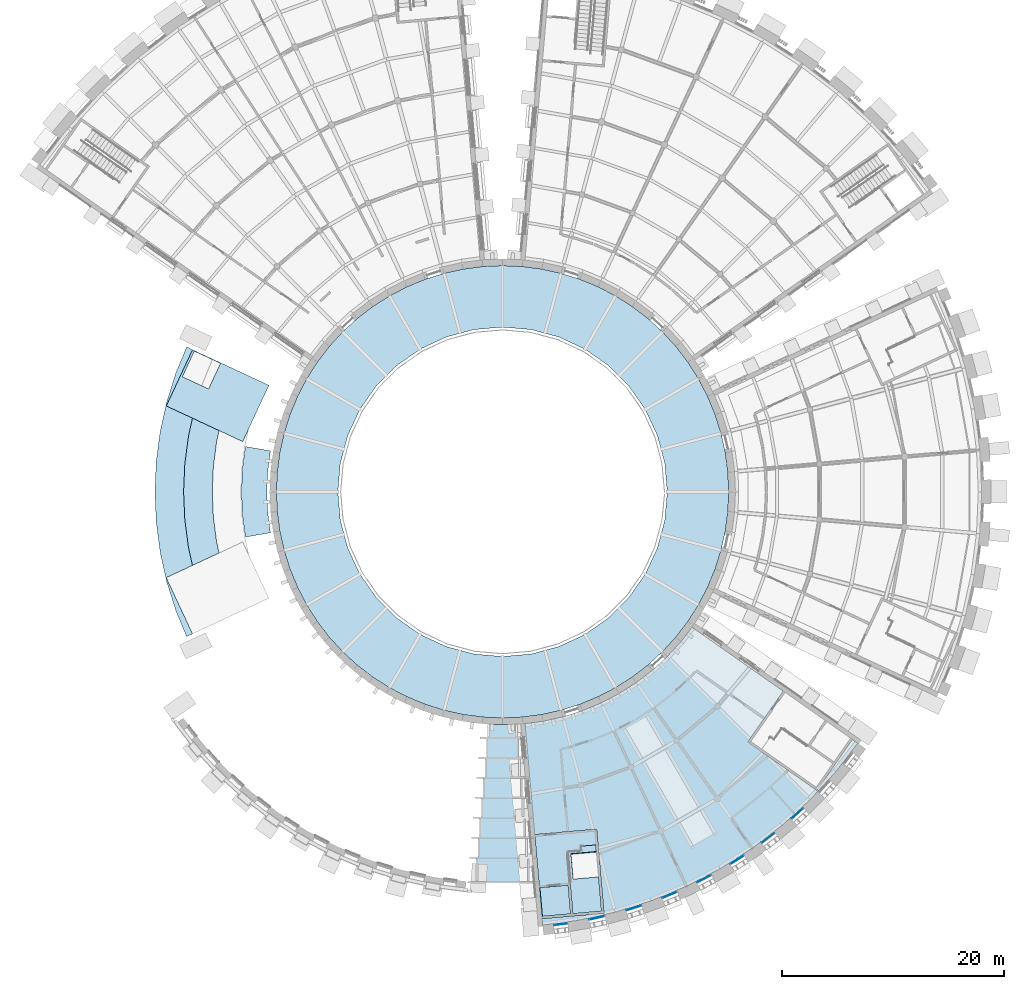
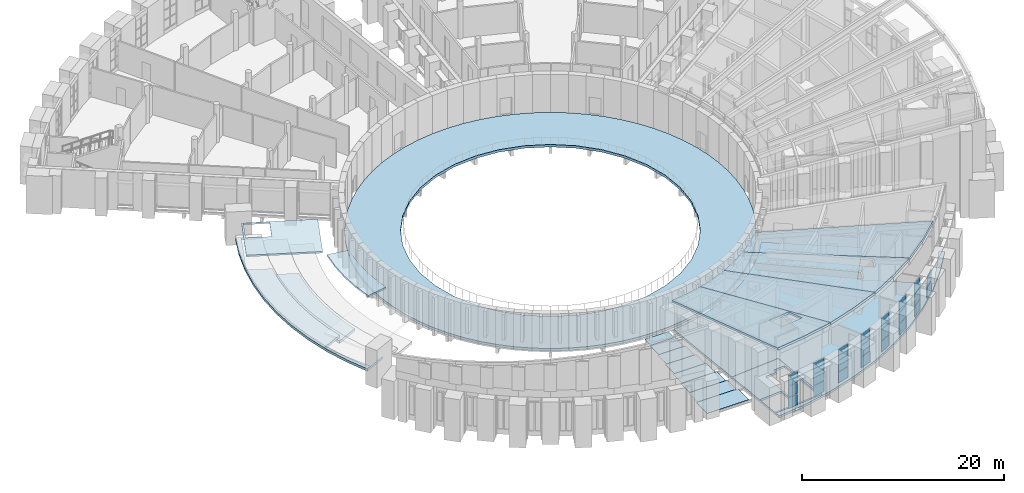
# One storey, part 18 of 50: 31 plates, 11 slabs, 8 elements without a shape of their own.
"""IFC4 building model written with IfcOpenShell, lengths in metres."""

from ifc_helpers import new_model, si_unit, direction, frame, origin, origin_2d, place, context, subcontext, project, spatial, polyline, rectangle, outline, extrude, material, layer, layer_set, type_object, element, aggregate, save


model = new_model("IFC4")

# Units and contexts
model_context = context("Model", 3, precision=1e-05, world=origin(), true_north=direction((0.0, 1.0)))
body_context = subcontext(model_context, "Body", "Model", "MODEL_VIEW")
ifc_project = project(units=[si_unit("LENGTHUNIT", "METRE"), si_unit("AREAUNIT", "SQUARE_METRE"), si_unit("VOLUMEUNIT", "CUBIC_METRE"), si_unit("PLANEANGLEUNIT", "RADIAN"), si_unit("MASSUNIT", "GRAM", prefix="KILO")], contexts=[model_context])

# Site, building, storey
site_placement = place(None, origin())
site = spatial("IfcSite", under=ifc_project, at=site_placement, CompositionType="ELEMENT")
building_placement = place(site_placement, origin())
building = spatial("IfcBuilding", under=site, at=building_placement, Name="Volute Hill Aquarium", CompositionType="ELEMENT")
storey_placement = place(building_placement, frame((0.0, 0.0, 9.199951171875)))
storey = spatial("IfcBuildingStorey", under=building, at=storey_placement, Name="L03", CompositionType="ELEMENT", Elevation=9.199951171875)

# Slab
ifc_material_1 = material(Name="Concrete C30/37", Category="concrete")
ifc_layer_1 = layer(ifc_material_1, 0.25)
ifc_layer_set_1 = layer_set([ifc_layer_1], Name="Core floor slab 250")
slab_type_1 = type_object("IfcSlabType", Name="Core floor slab 250", PredefinedType="FLOOR", material=ifc_layer_set_1)
slab_1_placement = place(storey_placement, frame((0.0, 0.0, -0.25)))
element("IfcSlab", 1, at=slab_1_placement, inside=storey, type_object=slab_type_1, Name="cs/S3-A/L03", PredefinedType="FLOOR", context=body_context, shape_type="SweptSolid", body=[
    extrude(outline(polyline([(2.905517578125, -30.914306640625), (3.56787109375, -38.485595703125), (9.146484375, -37.997314453125), (8.484130859375, -30.42626953125), (2.905517578125, -30.914306640625)]), holes=[polyline([(5.913818359375, -35.469482421875), (6.140380859375, -38.059814453125), (3.60009765625, -38.281982421875), (3.37353515625, -35.69189453125), (5.913818359375, -35.469482421875)]), polyline([(7.151123046875, -32.39990234375), (7.112060546875, -31.95361328125), (8.406982421875, -31.84033203125), (8.9296875, -37.815673828125), (6.339599609375, -38.042236328125), (5.85595703125, -32.51318359375), (7.151123046875, -32.39990234375)])]), origin(), (0.0, 0.0, 1.0), 0.25),
])

# Curtain wall, plates
ifc_material_2 = material(Name="Aluminium", Category="aluminium")
ifc_layer_2 = layer(ifc_material_2, 0.25)
ifc_layer_set_2 = layer_set([ifc_layer_2], Name="Curtain wall niche S3 module 1289")
curtain_wall_type_1 = type_object("IfcCurtainWallType", Name="Curtain wall niche S3 module 1289", PredefinedType="NOTDEFINED", material=ifc_layer_set_2)
curtain_wall_1_placement = place(storey_placement, origin())
curtain_wall_1 = element("IfcCurtainWall", 2, at=curtain_wall_1_placement, inside=storey, type_object=curtain_wall_type_1, Name="Curtain wall CW S3 L03 1", PredefinedType="NOTDEFINED")
ifc_material_3 = material(Name="Glass, low-iron laminated", Category="glass")
ifc_layer_3 = layer(ifc_material_3, 0.035888671875)
ifc_layer_set_3 = layer_set([ifc_layer_3], Name="Curtain wall glass panel S3 36")
plate_type_1 = type_object("IfcPlateType", Name="Curtain wall glass panel S3 36", PredefinedType="CURTAIN_PANEL", material=ifc_layer_set_3)
plate_1_placement = place(storey_placement, frame((5.23388671875, -38.987548828125, 0.51025390625), z_axis=(0.0, 0.0, 1.0), x_axis=(0.991447455432, 0.130506486875, 0.0)))
plate_1 = element("IfcPlate", 3, at=plate_1_placement, type_object=plate_type_1, Name="CW panel 1.1", PredefinedType="CURTAIN_PANEL", context=body_context, shape_type="SweptSolid", body=[
    extrude(rectangle(XDim=1.1689453125, YDim=0.035888671875, at=origin_2d()), origin(), (0.0, 0.0, 1.0), 1.293212890625),
])
plate_2_placement = place(storey_placement, frame((5.23388671875, -38.987548828125, 1.863525390625), z_axis=(0.0, 0.0, 1.0), x_axis=(0.991447455432, 0.130506486875, 0.0)))
plate_2 = element("IfcPlate", 4, at=plate_2_placement, type_object=plate_type_1, Name="CW panel 1.2", PredefinedType="CURTAIN_PANEL", context=body_context, shape_type="SweptSolid", body=[
    extrude(rectangle(XDim=1.1689453125, YDim=0.035888671875, at=origin_2d()), origin(), (0.0, 0.0, 1.0), 1.3232421875),
])
plate_3_placement = place(storey_placement, frame((5.23388671875, -38.987548828125, 3.24658203125), z_axis=(0.0, 0.0, 1.0), x_axis=(0.991447455432, 0.130506486875, 0.0)))
plate_3 = element("IfcPlate", 5, at=plate_3_placement, type_object=plate_type_1, Name="CW panel 1.3", PredefinedType="CURTAIN_PANEL", context=body_context, shape_type="SweptSolid", body=[
    extrude(rectangle(XDim=1.1689453125, YDim=0.035888671875, at=origin_2d()), origin(), (0.0, 0.0, 1.0), 1.293212890625),
])
aggregate(curtain_wall_1, [plate_1, plate_2, plate_3])

ifc_material_4 = material(Name="Aluminium", Category="aluminium")
ifc_layer_4 = layer(ifc_material_4, 0.25)
ifc_layer_set_4 = layer_set([ifc_layer_4], Name="Curtain wall niche S3 module 1489")
curtain_wall_type_2 = type_object("IfcCurtainWallType", Name="Curtain wall niche S3 module 1489", PredefinedType="NOTDEFINED", material=ifc_layer_set_4)
curtain_wall_2_placement = place(storey_placement, origin())
curtain_wall_2 = element("IfcCurtainWall", 6, at=curtain_wall_2_placement, inside=storey, type_object=curtain_wall_type_2, Name="Curtain wall CW S3 L03 2", PredefinedType="NOTDEFINED")
plate_4_placement = place(storey_placement, frame((8.51416015625, -38.40478515625, 1.863525390625), z_axis=(0.0, 0.0, 1.0), x_axis=(0.976298320472, 0.216429178819, 0.0)))
plate_4 = element("IfcPlate", 7, at=plate_4_placement, type_object=plate_type_1, Name="CW panel 1.2", PredefinedType="CURTAIN_PANEL", context=body_context, shape_type="SweptSolid", body=[
    extrude(rectangle(XDim=1.369140625, YDim=0.035888671875, at=origin_2d()), origin(), (0.0, 0.0, 1.0), 1.3232421875),
])
plate_5_placement = place(storey_placement, frame((8.51416015625, -38.40478515625, 3.24658203125), z_axis=(0.0, 0.0, 1.0), x_axis=(0.976298320472, 0.216429178819, 0.0)))
plate_5 = element("IfcPlate", 8, at=plate_5_placement, type_object=plate_type_1, Name="CW panel 1.3", PredefinedType="CURTAIN_PANEL", context=body_context, shape_type="SweptSolid", body=[
    extrude(rectangle(XDim=1.369140625, YDim=0.035888671875, at=origin_2d()), origin(), (0.0, 0.0, 1.0), 1.293212890625),
])

curtain_wall_3_placement = place(storey_placement, origin())
curtain_wall_3 = element("IfcCurtainWall", 9, at=curtain_wall_3_placement, inside=storey, type_object=curtain_wall_type_2, Name="Curtain wall CW S3 L03 3", PredefinedType="NOTDEFINED")
plate_6_placement = place(storey_placement, frame((11.828857421875, -37.5166015625, 0.51025390625), z_axis=(0.0, 0.0, 1.0), x_axis=(0.953714807337, 0.300712597453, 0.0)))
plate_6 = element("IfcPlate", 10, at=plate_6_placement, type_object=plate_type_1, Name="CW panel 1.1", PredefinedType="CURTAIN_PANEL", context=body_context, shape_type="SweptSolid", body=[
    extrude(rectangle(XDim=1.369140625, YDim=0.035888671875, at=origin_2d()), origin(), (0.0, 0.0, 1.0), 1.293212890625),
])
plate_7_placement = place(storey_placement, frame((11.828857421875, -37.5166015625, 1.863525390625), z_axis=(0.0, 0.0, 1.0), x_axis=(0.953714807337, 0.300712597453, 0.0)))
plate_7 = element("IfcPlate", 11, at=plate_7_placement, type_object=plate_type_1, Name="CW panel 1.2", PredefinedType="CURTAIN_PANEL", context=body_context, shape_type="SweptSolid", body=[
    extrude(rectangle(XDim=1.369140625, YDim=0.035888671875, at=origin_2d()), origin(), (0.0, 0.0, 1.0), 1.3232421875),
])
plate_8_placement = place(storey_placement, frame((11.828857421875, -37.5166015625, 3.24658203125), z_axis=(0.0, 0.0, 1.0), x_axis=(0.953714807337, 0.300712597453, 0.0)))
plate_8 = element("IfcPlate", 12, at=plate_8_placement, type_object=plate_type_1, Name="CW panel 1.3", PredefinedType="CURTAIN_PANEL", context=body_context, shape_type="SweptSolid", body=[
    extrude(rectangle(XDim=1.369140625, YDim=0.035888671875, at=origin_2d()), origin(), (0.0, 0.0, 1.0), 1.293212890625),
])
aggregate(curtain_wall_3, [plate_6, plate_7, plate_8])

curtain_wall_4_placement = place(storey_placement, origin())
curtain_wall_4 = element("IfcCurtainWall", 13, at=curtain_wall_4_placement, inside=storey, type_object=curtain_wall_type_2, Name="Curtain wall CW S3 L03 4", PredefinedType="NOTDEFINED")
plate_9_placement = place(storey_placement, frame((15.0537109375, -36.3427734375, 1.863525390625), z_axis=(0.0, 0.0, 1.0), x_axis=(0.923875737316, 0.382692594649, 0.0)))
plate_9 = element("IfcPlate", 14, at=plate_9_placement, type_object=plate_type_1, Name="CW panel 1.2", PredefinedType="CURTAIN_PANEL", context=body_context, shape_type="SweptSolid", body=[
    extrude(rectangle(XDim=1.369140625, YDim=0.035888671875, at=origin_2d()), origin(), (0.0, 0.0, 1.0), 1.3232421875),
])
plate_10_placement = place(storey_placement, frame((15.0537109375, -36.3427734375, 3.24658203125), z_axis=(0.0, 0.0, 1.0), x_axis=(0.923875737316, 0.382692594649, 0.0)))
plate_10 = element("IfcPlate", 15, at=plate_10_placement, type_object=plate_type_1, Name="CW panel 1.3", PredefinedType="CURTAIN_PANEL", context=body_context, shape_type="SweptSolid", body=[
    extrude(rectangle(XDim=1.369140625, YDim=0.035888671875, at=origin_2d()), origin(), (0.0, 0.0, 1.0), 1.293212890625),
])

curtain_wall_5_placement = place(storey_placement, origin())
curtain_wall_5 = element("IfcCurtainWall", 16, at=curtain_wall_5_placement, inside=storey, type_object=curtain_wall_type_2, Name="Curtain wall CW S3 L03 5", PredefinedType="NOTDEFINED")
plate_11_placement = place(storey_placement, frame((18.163818359375, -34.892578125, 0.51025390625), z_axis=(0.0, 0.0, 1.0), x_axis=(0.887013102438, 0.461744254001, 0.0)))
plate_11 = element("IfcPlate", 17, at=plate_11_placement, type_object=plate_type_1, Name="CW panel 1.1", PredefinedType="CURTAIN_PANEL", context=body_context, shape_type="SweptSolid", body=[
    extrude(rectangle(XDim=1.369140625, YDim=0.035888671875, at=origin_2d()), origin(), (0.0, 0.0, 1.0), 1.293212890625),
])
plate_12_placement = place(storey_placement, frame((18.163818359375, -34.892578125, 1.863525390625), z_axis=(0.0, 0.0, 1.0), x_axis=(0.887013102438, 0.461744254001, 0.0)))
plate_12 = element("IfcPlate", 18, at=plate_12_placement, type_object=plate_type_1, Name="CW panel 1.2", PredefinedType="CURTAIN_PANEL", context=body_context, shape_type="SweptSolid", body=[
    extrude(rectangle(XDim=1.369140625, YDim=0.035888671875, at=origin_2d()), origin(), (0.0, 0.0, 1.0), 1.3232421875),
])
plate_13_placement = place(storey_placement, frame((18.163818359375, -34.892578125, 3.24658203125), z_axis=(0.0, 0.0, 1.0), x_axis=(0.887013102438, 0.461744254001, 0.0)))
plate_13 = element("IfcPlate", 19, at=plate_13_placement, type_object=plate_type_1, Name="CW panel 1.3", PredefinedType="CURTAIN_PANEL", context=body_context, shape_type="SweptSolid", body=[
    extrude(rectangle(XDim=1.369140625, YDim=0.035888671875, at=origin_2d()), origin(), (0.0, 0.0, 1.0), 1.293212890625),
])
aggregate(curtain_wall_5, [plate_11, plate_12, plate_13])

curtain_wall_6_placement = place(storey_placement, origin())
curtain_wall_6 = element("IfcCurtainWall", 20, at=curtain_wall_6_placement, inside=storey, type_object=curtain_wall_type_2, Name="Curtain wall CW S3 L03 6", PredefinedType="NOTDEFINED")
plate_14_placement = place(storey_placement, frame((21.1357421875, -33.1767578125, 1.863525390625), z_axis=(0.0, 0.0, 1.0), x_axis=(0.843386539683, 0.53730730935, 0.0)))
plate_14 = element("IfcPlate", 21, at=plate_14_placement, type_object=plate_type_1, Name="CW panel 1.2", PredefinedType="CURTAIN_PANEL", context=body_context, shape_type="SweptSolid", body=[
    extrude(rectangle(XDim=1.369140625, YDim=0.035888671875, at=origin_2d()), origin(), (0.0, 0.0, 1.0), 1.3232421875),
])
plate_15_placement = place(storey_placement, frame((21.1357421875, -33.1767578125, 3.24658203125), z_axis=(0.0, 0.0, 1.0), x_axis=(0.843386539683, 0.53730730935, 0.0)))
plate_15 = element("IfcPlate", 22, at=plate_15_placement, type_object=plate_type_1, Name="CW panel 1.3", PredefinedType="CURTAIN_PANEL", context=body_context, shape_type="SweptSolid", body=[
    extrude(rectangle(XDim=1.369140625, YDim=0.035888671875, at=origin_2d()), origin(), (0.0, 0.0, 1.0), 1.293212890625),
])

curtain_wall_7_placement = place(storey_placement, origin())
curtain_wall_7 = element("IfcCurtainWall", 23, at=curtain_wall_7_placement, inside=storey, type_object=curtain_wall_type_2, Name="Curtain wall CW S3 L03 7", PredefinedType="NOTDEFINED")
plate_16_placement = place(storey_placement, frame((23.947021484375, -31.208251953125, 0.51025390625), z_axis=(0.0, 0.0, 1.0), x_axis=(0.793364531663, 0.608746843851, 0.0)))
plate_16 = element("IfcPlate", 24, at=plate_16_placement, type_object=plate_type_1, Name="CW panel 1.1", PredefinedType="CURTAIN_PANEL", context=body_context, shape_type="SweptSolid", body=[
    extrude(rectangle(XDim=1.369140625, YDim=0.035888671875, at=origin_2d()), origin(), (0.0, 0.0, 1.0), 1.293212890625),
])
plate_17_placement = place(storey_placement, frame((23.947021484375, -31.208251953125, 1.863525390625), z_axis=(0.0, 0.0, 1.0), x_axis=(0.793364531663, 0.608746843851, 0.0)))
plate_17 = element("IfcPlate", 25, at=plate_17_placement, type_object=plate_type_1, Name="CW panel 1.2", PredefinedType="CURTAIN_PANEL", context=body_context, shape_type="SweptSolid", body=[
    extrude(rectangle(XDim=1.369140625, YDim=0.035888671875, at=origin_2d()), origin(), (0.0, 0.0, 1.0), 1.3232421875),
])
plate_18_placement = place(storey_placement, frame((23.947021484375, -31.208251953125, 3.24658203125), z_axis=(0.0, 0.0, 1.0), x_axis=(0.793364531663, 0.608746843851, 0.0)))
plate_18 = element("IfcPlate", 26, at=plate_18_placement, type_object=plate_type_1, Name="CW panel 1.3", PredefinedType="CURTAIN_PANEL", context=body_context, shape_type="SweptSolid", body=[
    extrude(rectangle(XDim=1.369140625, YDim=0.035888671875, at=origin_2d()), origin(), (0.0, 0.0, 1.0), 1.293212890625),
])
aggregate(curtain_wall_7, [plate_16, plate_17, plate_18])

# Curtain wall, plate
curtain_wall_8_placement = place(storey_placement, origin())
curtain_wall_8 = element("IfcCurtainWall", 27, at=curtain_wall_8_placement, inside=storey, type_object=curtain_wall_type_2, Name="Curtain wall CW S3 L03 8", PredefinedType="NOTDEFINED")
plate_19_placement = place(storey_placement, frame((26.57568359375, -29.00244140625, 1.863525390625), z_axis=(0.0, 0.0, 1.0), x_axis=(0.73725642731, 0.675613025622, 0.0)))
plate_19 = element("IfcPlate", 28, at=plate_19_placement, type_object=plate_type_1, Name="CW panel 1.2", PredefinedType="CURTAIN_PANEL", context=body_context, shape_type="SweptSolid", body=[
    extrude(rectangle(XDim=1.369140625, YDim=0.035888671875, at=origin_2d()), origin(), (0.0, 0.0, 1.0), 1.3232421875),
])

# Plate
ifc_material_5 = material(Name="Aluminium", Category="aluminium")
ifc_layer_5 = layer(ifc_material_5, 0.06005859375)
ifc_layer_set_5 = layer_set([ifc_layer_5], Name="Curtain wall insulated spandrel panel 60")
plate_type_2 = type_object("IfcPlateType", Name="Curtain wall insulated spandrel panel 60", PredefinedType="CURTAIN_PANEL", material=ifc_layer_set_5)
plate_20_placement = place(storey_placement, frame((8.51416015625, -38.40478515625, 0.51025390625), z_axis=(0.0, 0.0, 1.0), x_axis=(0.976298320472, 0.216429178819, 0.0)))
plate_20 = element("IfcPlate", 29, at=plate_20_placement, type_object=plate_type_2, Name="CW panel 1.1", PredefinedType="CURTAIN_PANEL", context=body_context, shape_type="SweptSolid", body=[
    extrude(rectangle(XDim=1.369140625, YDim=0.06005859375, at=origin_2d()), origin(), (0.0, 0.0, 1.0), 1.293212890625),
])

aggregate(curtain_wall_2, [plate_20, plate_4, plate_5])

plate_21_placement = place(storey_placement, frame((15.0537109375, -36.3427734375, 0.51025390625), z_axis=(0.0, 0.0, 1.0), x_axis=(0.923875737316, 0.382692594649, 0.0)))
plate_21 = element("IfcPlate", 30, at=plate_21_placement, type_object=plate_type_2, Name="CW panel 1.1", PredefinedType="CURTAIN_PANEL", context=body_context, shape_type="SweptSolid", body=[
    extrude(rectangle(XDim=1.369140625, YDim=0.06005859375, at=origin_2d()), origin(), (0.0, 0.0, 1.0), 1.293212890625),
])

aggregate(curtain_wall_4, [plate_21, plate_9, plate_10])

plate_22_placement = place(storey_placement, frame((21.1357421875, -33.1767578125, 0.51025390625), z_axis=(0.0, 0.0, 1.0), x_axis=(0.843386539683, 0.53730730935, 0.0)))
plate_22 = element("IfcPlate", 31, at=plate_22_placement, type_object=plate_type_2, Name="CW panel 1.1", PredefinedType="CURTAIN_PANEL", context=body_context, shape_type="SweptSolid", body=[
    extrude(rectangle(XDim=1.369140625, YDim=0.06005859375, at=origin_2d()), origin(), (0.0, 0.0, 1.0), 1.293212890625),
])

aggregate(curtain_wall_6, [plate_22, plate_14, plate_15])

plate_23_placement = place(storey_placement, frame((26.57568359375, -29.00244140625, 0.51025390625), z_axis=(0.0, 0.0, 1.0), x_axis=(0.73725642731, 0.675613025622, 0.0)))
plate_23 = element("IfcPlate", 32, at=plate_23_placement, type_object=plate_type_2, Name="CW panel 1.1", PredefinedType="CURTAIN_PANEL", context=body_context, shape_type="SweptSolid", body=[
    extrude(rectangle(XDim=1.369140625, YDim=0.06005859375, at=origin_2d()), origin(), (0.0, 0.0, 1.0), 1.293212890625),
])

aggregate(curtain_wall_8, [plate_23, plate_19])

# Slabs
ifc_material_6 = material(Name="Concrete C35/45", Category="concrete")
ifc_layer_6 = layer(ifc_material_6, 0.27001953125)
ifc_layer_set_6 = layer_set([ifc_layer_6], Name="Floor slab 270 C35/45")
slab_type_2 = type_object("IfcSlabType", Name="Floor slab 270 C35/45", PredefinedType="FLOOR", material=ifc_layer_set_6)
slab_2_placement = place(storey_placement, frame((0.0, 0.0, -0.27001953125)))
element("IfcSlab", 33, at=slab_2_placement, inside=storey, type_object=slab_type_2, Name="fl/S3/L03/1", PredefinedType="FLOOR", context=body_context, shape_type="SweptSolid", body=[
    extrude(outline(polyline([(30.067138671875, -25.2294921875), (27.75390625, -27.75390625), (25.2294921875, -30.067138671875), (22.512939453125, -32.151611328125), (19.625, -33.991455078125), (16.587890625, -35.572509765625), (13.42431640625, -36.8828125), (10.15869140625, -37.91259765625), (6.815673828125, -38.65380859375), (3.619384765625, -39.074462890625), (3.56787109375, -38.485595703125), (9.146484375, -37.997314453125), (8.484130859375, -30.42626953125), (2.905517578125, -30.914306640625), (2.02880859375, -20.89404296875), (3.646484375, -20.680908203125), (5.435302734375, -20.284423828125), (7.182373046875, -19.7333984375), (8.875, -19.032470703125), (10.5, -18.1865234375), (12.045166015625, -17.2021484375), (13.49853515625, -16.0869140625), (14.84912109375, -14.84912109375), (16.0869140625, -13.49853515625), (17.080322265625, -12.203857421875), (25.320068359375, -17.973388671875), (22.10791015625, -22.560546875), (28.33349609375, -26.919921875), (31.54541015625, -22.33251953125), (26.370849609375, -18.709228515625), (32.02978515625, -22.671630859375), (30.067138671875, -25.2294921875)])), origin(), (0.0, 0.0, 1.0), 0.27001953125),
])
ifc_material_7 = material(Name="Concrete C30/37", Category="concrete")
ifc_layer_7 = layer(ifc_material_7, 0.199951171875)
ifc_layer_set_7 = layer_set([ifc_layer_7], Name="Lift shaft roof 200")
slab_type_3 = type_object("IfcSlabType", Name="Lift shaft roof 200", PredefinedType="ROOF", material=ifc_layer_set_7)
slab_3_placement = place(storey_placement, frame((0.0, 0.0, 2.719970703125)))
element("IfcSlab", 34, at=slab_3_placement, inside=storey, type_object=slab_type_3, Name="cs/S1-A/head", PredefinedType="ROOF", context=body_context, shape_type="SweptSolid", body=[
    extrude(outline(polyline([(-21.0654296875, 9.602294921875), (-27.95361328125, 12.814208984375), (-30.3203125, 7.739013671875), (-23.43212890625, 4.527099609375), (-21.0654296875, 9.602294921875)]), holes=[polyline([(-26.5146484375, 9.2744140625), (-28.87109375, 10.373291015625), (-27.79345703125, 12.684326171875), (-25.43701171875, 11.585693359375), (-26.5146484375, 9.2744140625)])]), origin(), (0.0, 0.0, 1.0), 0.2001953125),
])

# Plates
ifc_material_8 = material(Name="Laminated glass", Category="glass")
ifc_layer_8 = layer(ifc_material_8, 0.0400390625)
ifc_layer_set_8 = layer_set([ifc_layer_8], Name="Passage glazing plate 40")
plate_type_3 = type_object("IfcPlateType", Name="Passage glazing plate 40", PredefinedType="SHEET", material=ifc_layer_set_8)
plate_24_placement = place(storey_placement, origin())
element("IfcPlate", 35, at=plate_24_placement, inside=storey, type_object=plate_type_3, Name="ps/SC3/L03/g0", PredefinedType="SHEET", context=body_context, shape_type="SweptSolid", body=[
    extrude(outline(polyline([(-1.3359375, -21.0), (-1.3359375, -22.199951171875), (1.3359375, -22.199951171875), (1.3359375, -21.0), (-1.3359375, -21.0)])), origin(), (0.0, 0.0, 1.0), 0.0400390625),
])
plate_25_placement = place(storey_placement, origin())
element("IfcPlate", 36, at=plate_25_placement, inside=storey, type_object=plate_type_3, Name="ps/SC3/L03/g1", PredefinedType="SHEET", context=body_context, shape_type="SweptSolid", body=[
    extrude(outline(polyline([(-1.44091796875, -22.199951171875), (-1.44091796875, -24.0), (1.44091796875, -24.0), (1.44091796875, -22.199951171875), (-1.44091796875, -22.199951171875)])), origin(), (0.0, 0.0, 1.0), 0.0400390625),
])
plate_26_placement = place(storey_placement, origin())
element("IfcPlate", 37, at=plate_26_placement, inside=storey, type_object=plate_type_3, Name="ps/SC3/L03/g2", PredefinedType="SHEET", context=body_context, shape_type="SweptSolid", body=[
    extrude(outline(polyline([(-1.59912109375, -24.0), (-1.59912109375, -25.800048828125), (1.59912109375, -25.800048828125), (1.59912109375, -24.0), (-1.59912109375, -24.0)])), origin(), (0.0, 0.0, 1.0), 0.0400390625),
])
plate_27_placement = place(storey_placement, origin())
element("IfcPlate", 38, at=plate_27_placement, inside=storey, type_object=plate_type_3, Name="ps/SC3/L03/g3", PredefinedType="SHEET", context=body_context, shape_type="SweptSolid", body=[
    extrude(outline(polyline([(-1.756103515625, -25.800048828125), (-1.756103515625, -27.60009765625), (1.756103515625, -27.60009765625), (1.756103515625, -25.800048828125), (-1.756103515625, -25.800048828125)])), origin(), (0.0, 0.0, 1.0), 0.0400390625),
])
plate_28_placement = place(storey_placement, origin())
element("IfcPlate", 39, at=plate_28_placement, inside=storey, type_object=plate_type_3, Name="ps/SC3/L03/g4", PredefinedType="SHEET", context=body_context, shape_type="SweptSolid", body=[
    extrude(outline(polyline([(-1.9140625, -27.60009765625), (-1.9140625, -29.39990234375), (1.9140625, -29.39990234375), (1.9140625, -27.60009765625), (-1.9140625, -27.60009765625)])), origin(), (0.0, 0.0, 1.0), 0.0400390625),
])
plate_29_placement = place(storey_placement, origin())
element("IfcPlate", 40, at=plate_29_placement, inside=storey, type_object=plate_type_3, Name="ps/SC3/L03/g5", PredefinedType="SHEET", context=body_context, shape_type="SweptSolid", body=[
    extrude(outline(polyline([(-2.071044921875, -29.39990234375), (-2.071044921875, -31.199951171875), (2.071044921875, -31.199951171875), (2.071044921875, -29.39990234375), (-2.071044921875, -29.39990234375)])), origin(), (0.0, 0.0, 1.0), 0.0400390625),
])
plate_30_placement = place(storey_placement, origin())
element("IfcPlate", 41, at=plate_30_placement, inside=storey, type_object=plate_type_3, Name="ps/SC3/L03/g6", PredefinedType="SHEET", context=body_context, shape_type="SweptSolid", body=[
    extrude(outline(polyline([(-2.22900390625, -31.199951171875), (-2.22900390625, -33.0), (2.22900390625, -33.0), (2.22900390625, -31.199951171875), (-2.22900390625, -31.199951171875)])), origin(), (0.0, 0.0, 1.0), 0.0400390625),
])
plate_31_placement = place(storey_placement, origin())
element("IfcPlate", 42, at=plate_31_placement, inside=storey, type_object=plate_type_3, Name="ps/SC3/L03/g7", PredefinedType="SHEET", context=body_context, shape_type="SweptSolid", body=[
    extrude(outline(polyline([(-2.385986328125, -33.0), (-2.385986328125, -35.199951171875), (2.385986328125, -35.199951171875), (2.385986328125, -33.0), (-2.385986328125, -33.0)])), origin(), (0.0, 0.0, 1.0), 0.0400390625),
])

# Slabs
ifc_material_9 = material(Name="Glulam GL28h", Category="wood")
ifc_layer_9 = layer(ifc_material_9, 0.199951171875)
ifc_layer_set_9 = layer_set([ifc_layer_9], Name="Pavilion roof plate 200")
slab_type_4 = type_object("IfcSlabType", Name="Pavilion roof plate 200", PredefinedType="ROOF", material=ifc_layer_set_9)
slab_4_placement = place(storey_placement, frame((0.0, 0.0, 2.52001953125)))
element("IfcSlab", 43, at=slab_4_placement, inside=storey, type_object=slab_type_4, Name="Garden pavilion roof GPR", PredefinedType="ROOF", context=body_context, shape_type="SweptSolid", body=[
    extrude(outline(polyline([(-23.192138671875, 4.08935546875), (-23.46044921875, 2.052490234375), (-23.550048828125, 0.0), (-23.46044921875, -2.052490234375), (-23.192138671875, -4.08935546875), (-20.92724609375, -3.68994140625), (-21.169189453125, -1.85205078125), (-21.25, 0.0), (-21.169189453125, 1.85205078125), (-20.92724609375, 3.68994140625), (-23.192138671875, 4.08935546875)])), origin(), (0.0, 0.0, 1.0), 0.199951171875),
])
ifc_material_10 = material(Name="Concrete C35/45", Category="concrete")
ifc_layer_10 = layer(ifc_material_10, 0.300048828125)
ifc_layer_set_10 = layer_set([ifc_layer_10], Name="Ring gallery slab C35/45 300")
slab_type_5 = type_object("IfcSlabType", Name="Ring gallery slab C35/45 300", PredefinedType="FLOOR", material=ifc_layer_set_10)
slab_5_placement = place(storey_placement, frame((0.0, 0.0, -0.300048828125)))
element("IfcSlab", 44, at=slab_5_placement, inside=storey, type_object=slab_type_5, Name="fl/DR/L03/1", PredefinedType="FLOOR", context=body_context, shape_type="SweptSolid", body=[
    extrude(outline(polyline([(20.39990234375, 0.0), (20.322509765625, 1.778076171875), (20.090087890625, 3.54248046875), (19.704833984375, 5.27978515625), (19.169677734375, 6.977294921875), (18.48876953125, 8.621337890625), (17.6669921875, 10.199951171875), (16.710693359375, 11.700927734375), (15.627197265625, 13.11279296875), (14.425048828125, 14.425048828125), (13.11279296875, 15.627197265625), (11.700927734375, 16.710693359375), (10.199951171875, 17.6669921875), (8.621337890625, 18.48876953125), (6.977294921875, 19.169677734375), (5.27978515625, 19.704833984375), (3.54248046875, 20.090087890625), (1.778076171875, 20.322509765625), (0.0, 20.39990234375), (-1.778076171875, 20.322509765625), (-3.54248046875, 20.090087890625), (-5.27978515625, 19.704833984375), (-6.977294921875, 19.169677734375), (-8.621337890625, 18.48876953125), (-10.199951171875, 17.6669921875), (-11.700927734375, 16.710693359375), (-13.11279296875, 15.627197265625), (-14.425048828125, 14.425048828125), (-15.627197265625, 13.11279296875), (-16.710693359375, 11.700927734375), (-17.6669921875, 10.199951171875), (-18.48876953125, 8.621337890625), (-19.169677734375, 6.977294921875), (-19.704833984375, 5.27978515625), (-20.090087890625, 3.54248046875), (-20.322509765625, 1.778076171875), (-20.39990234375, 0.0), (-20.322509765625, -1.778076171875), (-20.090087890625, -3.54248046875), (-19.704833984375, -5.27978515625), (-19.169677734375, -6.977294921875), (-18.48876953125, -8.621337890625), (-17.6669921875, -10.199951171875), (-16.710693359375, -11.700927734375), (-15.627197265625, -13.11279296875), (-14.425048828125, -14.425048828125), (-13.11279296875, -15.627197265625), (-11.700927734375, -16.710693359375), (-10.199951171875, -17.6669921875), (-8.621337890625, -18.48876953125), (-6.977294921875, -19.169677734375), (-5.27978515625, -19.704833984375), (-3.54248046875, -20.090087890625), (-1.778076171875, -20.322509765625), (0.0, -20.39990234375), (1.778076171875, -20.322509765625), (3.54248046875, -20.090087890625), (5.27978515625, -19.704833984375), (6.977294921875, -19.169677734375), (8.621337890625, -18.48876953125), (10.199951171875, -17.6669921875), (11.700927734375, -16.710693359375), (13.11279296875, -15.627197265625), (14.425048828125, -14.425048828125), (15.627197265625, -13.11279296875), (16.710693359375, -11.700927734375), (17.6669921875, -10.199951171875), (18.48876953125, -8.621337890625), (19.169677734375, -6.977294921875), (19.704833984375, -5.27978515625), (20.090087890625, -3.54248046875), (20.322509765625, -1.778076171875), (20.39990234375, 0.0)]), holes=[polyline([(14.62451171875, -2.57861328125), (13.954345703125, -5.0791015625), (12.860595703125, -7.425048828125), (11.375732421875, -9.54541015625), (9.54541015625, -11.375732421875), (7.425048828125, -12.860595703125), (5.0791015625, -13.954345703125), (2.57861328125, -14.62451171875), (0.0, -14.85009765625), (-2.57861328125, -14.62451171875), (-5.0791015625, -13.954345703125), (-7.425048828125, -12.860595703125), (-9.54541015625, -11.375732421875), (-11.375732421875, -9.54541015625), (-12.860595703125, -7.425048828125), (-13.954345703125, -5.0791015625), (-14.62451171875, -2.57861328125), (-14.85009765625, 0.0), (-14.62451171875, 2.57861328125), (-13.954345703125, 5.0791015625), (-12.860595703125, 7.425048828125), (-11.375732421875, 9.54541015625), (-9.54541015625, 11.375732421875), (-7.425048828125, 12.860595703125), (-5.0791015625, 13.954345703125), (-2.57861328125, 14.62451171875), (0.0, 14.85009765625), (2.57861328125, 14.62451171875), (5.0791015625, 13.954345703125), (7.425048828125, 12.860595703125), (9.54541015625, 11.375732421875), (11.375732421875, 9.54541015625), (12.860595703125, 7.425048828125), (13.954345703125, 5.0791015625), (14.62451171875, 2.57861328125), (14.85009765625, 0.0), (14.62451171875, -2.57861328125)])]), origin(), (0.0, 0.0, 1.0), 0.300048828125),
])
ifc_material_11 = material(Name="Concrete C30/37", Category="concrete")
ifc_layer_11 = layer(ifc_material_11, 0.25)
ifc_layer_set_11 = layer_set([ifc_layer_11], Name="Roof slab 250 C30/37")
slab_type_6 = type_object("IfcSlabType", Name="Roof slab 250 C30/37", PredefinedType="ROOF", material=ifc_layer_set_11)
slab_6_placement = place(storey_placement, frame((3.4208984375, -39.1005859375, 8.291748046875), z_axis=(-0.043390787064, 0.246078756548, 0.968278103219), x_axis=(0.991387631702, 0.130474545803, 0.011267502174)))
element("IfcSlab", 45, at=slab_6_placement, inside=storey, type_object=slab_type_6, Name="rf/S3/L03/1", PredefinedType="ROOF", context=body_context, shape_type="SweptSolid", body=[
    extrude(outline(polyline([(0.0, 0.0), (3.4242660407673866, 7.806255641895632e-17), (6.834766845604605, 0.3084354259316193), (4.399222529162319, 18.993793873880968), (2.57431008539186, 18.82891174282257), (0.7423413067534729, 18.828651408592748), (0.0, 0.0)]), holes=[polyline([(3.456085033346842, 3.874989037863469), (5.854267312031432, 3.7671077099549555), (5.9478426236681905, 6.140067212660272), (3.5496603449836006, 6.247948540568786), (3.456085033346842, 3.874989037863469)])]), origin(), (0.0, 0.0, -1.0), 0.25),
])
slab_7_placement = place(storey_placement, frame((10.15869140625, -37.91259765625, 8.291748046875), z_axis=(-0.085463839498, 0.234806267619, 0.968277826259), x_axis=(0.953646359518, 0.300719297964, 0.011248324764)))
element("IfcSlab", 46, at=slab_7_placement, inside=storey, type_object=slab_type_6, Name="rf/S3/L03/2", PredefinedType="ROOF", context=body_context, shape_type="SweptSolid", body=[
    extrude(outline(polyline([(0.0, 0.0), (3.4243615573824195, 1.6132928326584306e-16), (6.834892017220159, 0.308001693428698), (4.400657679231992, 18.993495011898936), (2.575938329692605, 18.828857371548246), (0.7439164391906183, 18.82873030173565), (0.0, 0.0)])), origin(), (0.0, 0.0, -1.0), 0.25),
])
slab_8_placement = place(storey_placement, frame((16.587890625, -35.572509765625, 8.291748046875), z_axis=(-0.124939799036, 0.216398121306, 0.968277800898), x_axis=(0.886951456073, 0.461725476082, 0.011256078662)))
element("IfcSlab", 47, at=slab_8_placement, inside=storey, type_object=slab_type_6, Name="rf/S3/L03/3", PredefinedType="ROOF", context=body_context, shape_type="SweptSolid", body=[
    extrude(outline(polyline([(0.0, 0.0), (3.4242160051473833, -2.7755575615628914e-17), (6.834746645091967, 0.30820128610531095), (4.400078037354714, 18.9936152128073), (2.575310611954052, 18.828762070259298), (0.7431882543237804, 18.828723498559057), (0.0, 0.0)])), origin(), (0.0, 0.0, -1.0), 0.25),
])
slab_9_placement = place(storey_placement, frame((22.512939453125, -32.151611328125, 8.291748046875), z_axis=(-0.160620174137, 0.191412875102, 0.968277992575), x_axis=(0.793305211975, 0.608719989727, 0.011261205986)))
element("IfcSlab", 48, at=slab_9_placement, inside=storey, type_object=slab_type_6, Name="rf/S3/L03/4", PredefinedType="ROOF", context=body_context, shape_type="SweptSolid", body=[
    extrude(outline(polyline([(0.0, 0.0), (3.424350008906092, 2.0643209364124004e-16), (6.834657265727034, 0.30822553332590497), (4.399790988148722, 18.993780634745157), (2.5751257441891227, 18.828762132550498), (0.7430640300137831, 18.828705762506285), (0.0, 0.0)])), origin(), (0.0, 0.0, -1.0), 0.25),
])
ifc_material_12 = material(Name="Concrete C30/37", Category="concrete")
ifc_layer_12 = layer(ifc_material_12, 0.300048828125)
ifc_layer_set_12 = layer_set([ifc_layer_12], Name="Terrace slab 300 C30/37")
slab_type_7 = type_object("IfcSlabType", Name="Terrace slab 300 C30/37", PredefinedType="ROOF", material=ifc_layer_set_12)
slab_10_placement = place(storey_placement, frame((0.0, 0.0, 0.860107421875)))
element("IfcSlab", 49, at=slab_10_placement, inside=storey, type_object=slab_type_7, Name="tr/S1/L02/4.1", PredefinedType="ROOF", context=body_context, shape_type="SweptSolid", body=[
    extrude(outline(polyline([(-29.45947265625, -10.722412109375), (-30.28173828125, -8.114013671875), (-30.873779296875, -5.44384765625), (-31.230712890625, -2.732421875), (-31.35009765625, 0.0), (-31.230712890625, 2.732421875), (-30.873779296875, 5.44384765625), (-30.28173828125, 8.114013671875), (-29.45947265625, 10.722412109375), (-28.4892578125, 13.064208984375), (-26.144287109375, 11.970703125), (-26.144287109375, 11.970703125), (-27.95361328125, 12.814208984375), (-30.3203125, 7.739013671875), (-27.9609375, 6.638916015625), (-28.325439453125, 4.99462890625), (-28.653076171875, 2.5068359375), (-28.762451171875, 0.0), (-28.653076171875, -2.5068359375), (-28.325439453125, -4.99462890625), (-27.9609375, -6.638916015625), (-30.3203125, -7.739013671875), (-27.95361328125, -12.814208984375), (-26.144287109375, -11.970703125), (-26.144287109375, -11.970703125), (-28.4892578125, -13.064208984375), (-29.45947265625, -10.722412109375)])), origin(), (0.0, 0.0, 1.0), 0.300048828125),
])
ifc_material_13 = material(Name="Concrete C30/37", Category="concrete")
ifc_layer_13 = layer(ifc_material_13, 0.340087890625)
ifc_layer_set_13 = layer_set([ifc_layer_13], Name="Terrace slab 340 C30/37")
slab_type_8 = type_object("IfcSlabType", Name="Terrace slab 340 C30/37", PredefinedType="ROOF", material=ifc_layer_set_13)
slab_11_placement = place(storey_placement, frame((0.0, 0.0, 0.10009765625)))
element("IfcSlab", 50, at=slab_11_placement, inside=storey, type_object=slab_type_8, Name="tr/S1/L02/3.1", PredefinedType="ROOF", context=body_context, shape_type="SweptSolid", body=[
    extrude(outline(polyline([(-28.325439453125, -4.99462890625), (-28.653076171875, -2.5068359375), (-28.762451171875, 0.0), (-28.653076171875, 2.5068359375), (-28.325439453125, 4.99462890625), (-27.9609375, 6.638916015625), (-25.561279296875, 5.519775390625), (-25.77734375, 4.545166015625), (-26.075439453125, 2.28125), (-26.175048828125, 0.0), (-26.075439453125, -2.28125), (-25.77734375, -4.545166015625), (-25.561279296875, -5.519775390625), (-27.9609375, -6.638916015625), (-28.325439453125, -4.99462890625)])), origin(), (0.0, 0.0, 1.0), 0.33984375),
])

save(model, "model.ifc")
